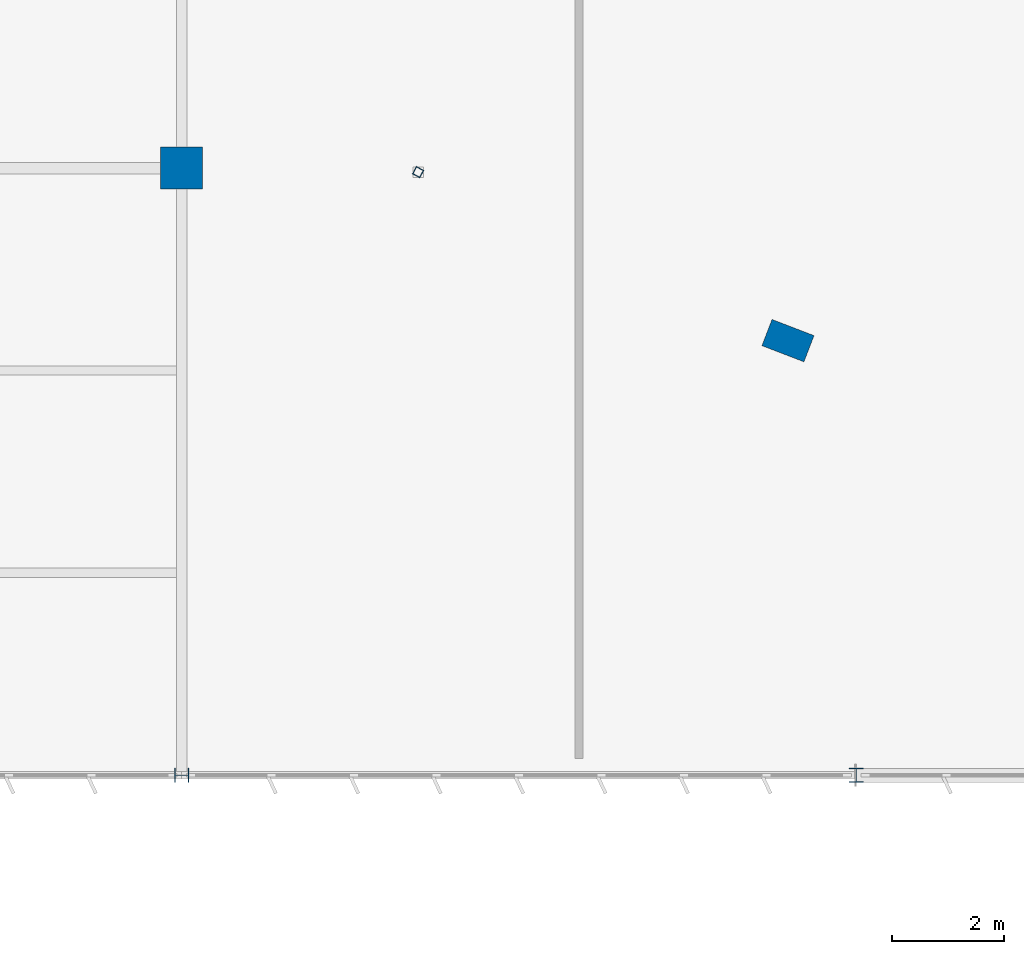
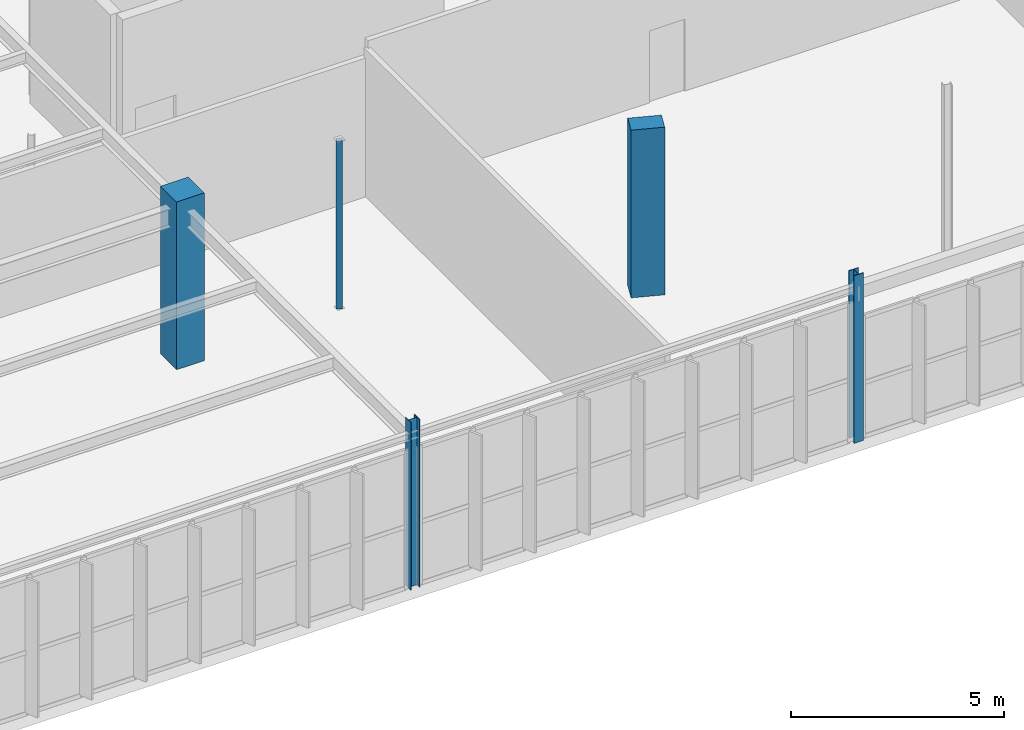
# One storey, part 9 of 199: 5 columns.
"""IFC4 building model written with IfcOpenShell, lengths in metres."""

from ifc_helpers import new_model, si_unit, direction, frame, origin, origin_2d, place, context, subcontext, project, spatial, rectangle, hollow_rectangle, i_section, extrude, material, material_profile, profile_set, type_object, element, save


model = new_model("IFC4")

# Units and contexts
model_context = context("Model", 3, precision=1e-05, world=origin(), true_north=direction((0.0, 1.0)))
body_context = subcontext(model_context, "Body", "Model", "MODEL_VIEW")
ifc_project = project(units=[si_unit("LENGTHUNIT", "METRE"), si_unit("AREAUNIT", "SQUARE_METRE"), si_unit("VOLUMEUNIT", "CUBIC_METRE"), si_unit("PLANEANGLEUNIT", "RADIAN"), si_unit("MASSUNIT", "GRAM", prefix="KILO")], contexts=[model_context])

# Site, building, storey
site_placement = place(None, origin())
site = spatial("IfcSite", under=ifc_project, at=site_placement, CompositionType="ELEMENT")
building_placement = place(site_placement, origin())
building = spatial("IfcBuilding", under=site, at=building_placement, Name="Tarnwether General Hospital", CompositionType="ELEMENT")
storey_placement = place(building_placement, origin())
storey = spatial("IfcBuildingStorey", under=building, at=storey_placement, Name="L00", CompositionType="ELEMENT", Elevation=0.0)

# Columns
ifc_material_1 = material(Name="Concrete 50 MPa", Category="concrete")
ifc_material_profile_1 = material_profile(ifc_material_1, rectangle(XDim=0.75, YDim=0.75, at=origin_2d()), Name="RC-COL-750x750")
ifc_profile_set_1 = profile_set([ifc_material_profile_1], Name="Concrete 50 MPa")
column_type_1 = type_object("IfcColumnType", Name="COL-17", PredefinedType="COLUMN", material=ifc_profile_set_1)
column_1_placement = place(storey_placement, frame((60.0, 10.800048828125, 0.0), z_axis=(0.0, 0.0, 1.0), x_axis=(0.0, 1.0, 0.0)))
element("IfcColumn", 1, at=column_1_placement, inside=storey, type_object=column_type_1, Name="Column COLG-L00-6000_1080", PredefinedType="COLUMN", context=body_context, shape_type="SweptSolid", body=[
    extrude(rectangle(XDim=0.75, YDim=0.75, at=origin_2d()), origin(), (0.0, 0.0, 1.0), 4.800048828125),
])
ifc_material_2 = material(Name="Concrete 50 MPa", Category="concrete")
ifc_material_profile_2 = material_profile(ifc_material_2, rectangle(XDim=0.5, YDim=0.800048828125, at=origin_2d()), Name="RC-PIL-500x800")
ifc_profile_set_2 = profile_set([ifc_material_profile_2], Name="Concrete 50 MPa")
column_type_2 = type_object("IfcColumnType", Name="COL-23", PredefinedType="PILASTER", material=ifc_profile_set_2)
column_2_placement = place(storey_placement, frame((70.784912109375, 7.73193359375, 0.0), z_axis=(0.0, 0.0, 1.0), x_axis=(0.358367949545, 0.933580426497, 0.0)))
element("IfcColumn", 2, at=column_2_placement, inside=storey, type_object=column_type_2, Name="Column COLG-L00-7078_773", PredefinedType="PILASTER", context=body_context, shape_type="SweptSolid", body=[
    extrude(rectangle(XDim=0.5, YDim=0.800048828125, at=origin_2d()), origin(), (0.0, 0.0, 1.0), 4.800048828125),
])
ifc_material_3 = material(Name="Steel Grade 350 (350 MPa)", Category="steel")
ifc_material_profile_3 = material_profile(ifc_material_3, i_section(OverallWidth=0.25390625, OverallDepth=0.25390625, WebThickness=0.008544921875, FlangeThickness=0.01416015625, at=origin_2d()), Name="250UC72.9")
ifc_profile_set_3 = profile_set([ifc_material_profile_3], Name="Steel Grade 350 (350 MPa)")
column_type_3 = type_object("IfcColumnType", Name="COL-24", PredefinedType="COLUMN", material=ifc_profile_set_3)
for number, where, z_axis, x_axis, name in (
    (3, (60.0, 0.0, 0.0), (0.0, 0.0, 1.0), (0.0, 1.0, 0.0), "Column COLG-L00-6000_0"),
    (4, (72.0, 0.0, 0.0), (0.0, 0.0, 1.0), (1.0, 0.0, 0.0), "Column COLG-L00-7200_0"),
):
    element("IfcColumn", number, at=place(storey_placement, frame(where, z_axis=z_axis, x_axis=x_axis)), inside=storey, type_object=column_type_3, Name=name, PredefinedType="COLUMN", context=body_context, shape_type="SweptSolid", body=[
        extrude(i_section(OverallWidth=0.25390625, OverallDepth=0.25390625, WebThickness=0.008544921875, FlangeThickness=0.01416015625, at=origin_2d()), origin(), (0.0, 0.0, 1.0), 4.800048828125),
    ])
ifc_material_4 = material(Name="Steel Grade C350L0 (350 MPa)", Category="steel")
ifc_material_profile_4 = material_profile(ifc_material_4, hollow_rectangle(XDim=0.14990234375, YDim=0.14990234375, WallThickness=0.008056640625, at=origin_2d()), Name="SHS150x150x8")
ifc_profile_set_4 = profile_set([ifc_material_profile_4], Name="Steel Grade C350L0 (350 MPa)")
column_type_4 = type_object("IfcColumnType", Name="COL-33", PredefinedType="COLUMN", material=ifc_profile_set_4)
column_3_placement = place(storey_placement, frame((64.20703125, 10.72998046875, 0.0), z_axis=(0.0, 0.0, 1.0), x_axis=(0.469471562786, 0.882947592859, 0.0)))
element("IfcColumn", 5, at=column_3_placement, inside=storey, type_object=column_type_4, Name="Column COLG-L00-6421_1073", PredefinedType="COLUMN", context=body_context, shape_type="SweptSolid", body=[
    extrude(hollow_rectangle(XDim=0.14990234375, YDim=0.14990234375, WallThickness=0.008056640625, at=origin_2d()), origin(), (0.0, 0.0, 1.0), 4.800048828125),
])

save(model, "model.ifc")
